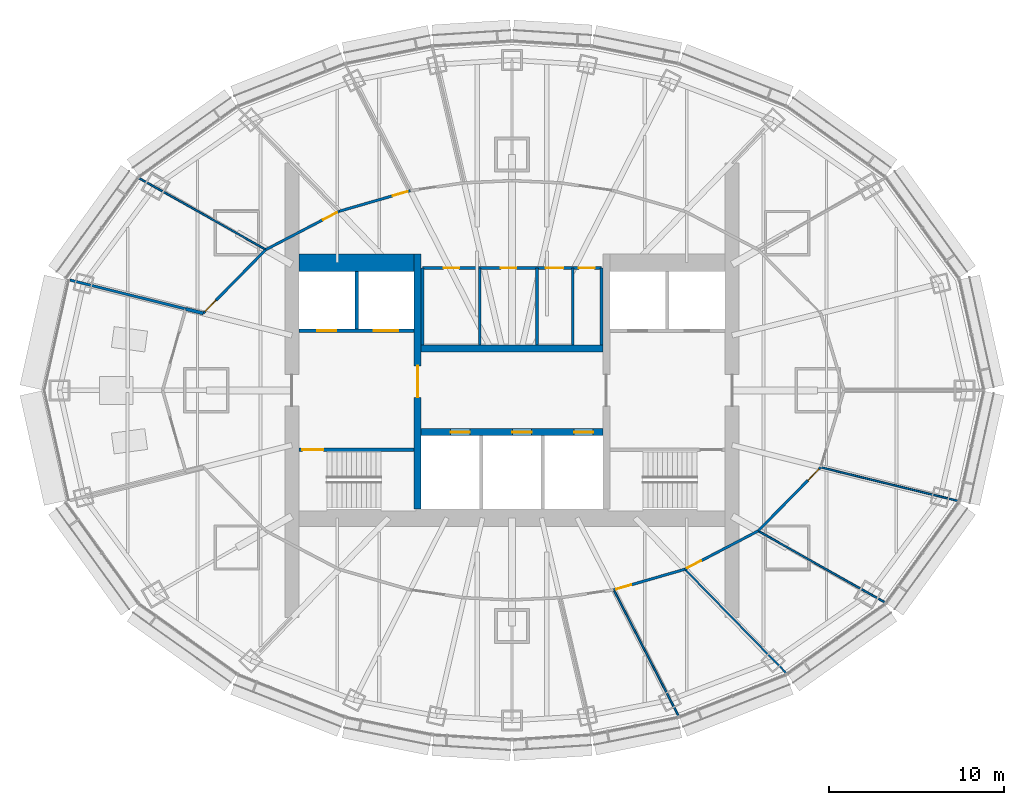
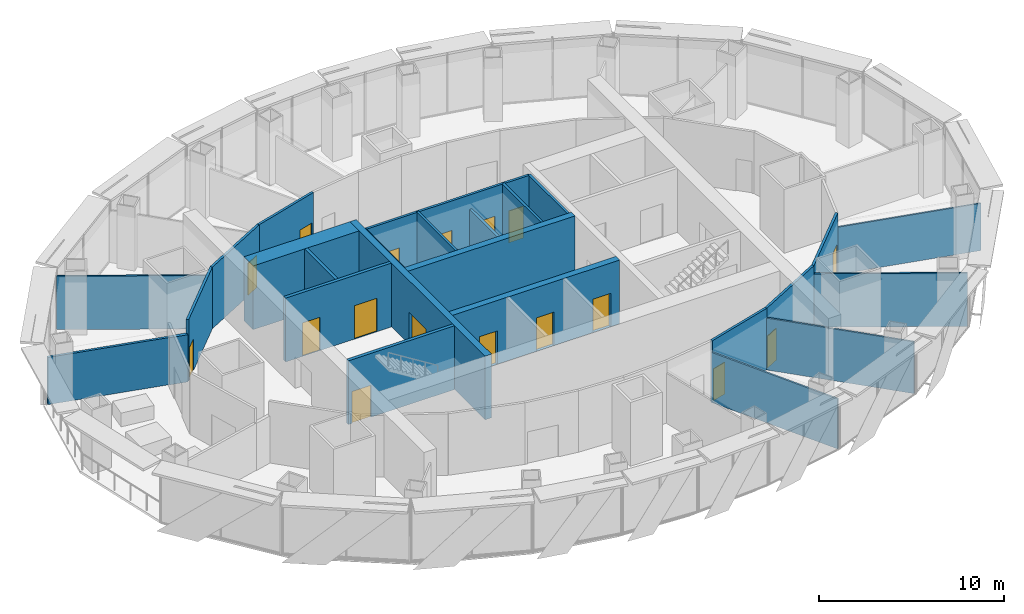
# One storey, part 12 of 16: 26 walls, 17 doors, 17 openings.
"""IFC4 building model written with IfcOpenShell, lengths in metres."""

from ifc_helpers import new_model, si_unit, direction, frame, frame_2d, origin, place, context, subcontext, project, spatial, rectangle, extrude, material, layer, layer_set, type_object, element, fill, save


model = new_model("IFC4")

# Units and contexts
model_context = context("Model", 3, precision=1e-05, world=origin(), true_north=direction((0.0, 1.0)))
body_context = subcontext(model_context, "Body", "Model", "MODEL_VIEW")
ifc_project = project(units=[si_unit("LENGTHUNIT", "METRE"), si_unit("AREAUNIT", "SQUARE_METRE"), si_unit("VOLUMEUNIT", "CUBIC_METRE"), si_unit("PLANEANGLEUNIT", "RADIAN"), si_unit("MASSUNIT", "GRAM", prefix="KILO")], contexts=[model_context])

# Site, building, storey
site_placement = place(None, origin())
site = spatial("IfcSite", under=ifc_project, at=site_placement, CompositionType="ELEMENT")
building_placement = place(site_placement, origin())
building = spatial("IfcBuilding", under=site, at=building_placement, Name="Lantaw Convention Tower", CompositionType="ELEMENT")
storey_placement = place(building_placement, frame((0.0, 0.0, 232.60009765625)))
storey = spatial("IfcBuildingStorey", under=building, at=storey_placement, Name="L54", CompositionType="ELEMENT", Elevation=232.60009765625)

# Wall
ifc_material_1 = material(Name="Concrete C60/75", Category="concrete")
ifc_layer_1 = layer(ifc_material_1, 1.0)
ifc_layer_set_1 = layer_set([ifc_layer_1], Name="Core wall 1000")
wall_type_1 = type_object("IfcWallType", Name="Core wall 1000", PredefinedType="SHEAR", material=ifc_layer_set_1)
wall_1_placement = place(storey_placement, frame((-5.60009765625, 7.300048828125, 0.0), z_axis=(0.0, 0.0, 1.0), x_axis=(-1.0, 0.0, 0.0)))
element("IfcWall", 1, at=wall_1_placement, inside=storey, type_object=wall_type_1, Name="Core wall NW", PredefinedType="SHEAR", context=body_context, shape_type="SweptSolid", body=[
    extrude(rectangle(XDim=6.599853515625, YDim=1.0, at=frame_2d((3.2998046875, 0.0))), origin(), (0.0, 0.0, 1.0), 4.199951171875),
])

# Wall, opening, door
ifc_layer_2 = layer(ifc_material_1, 0.199951171875)
ifc_layer_set_2 = layer_set([ifc_layer_2], Name="Core wall 200")
wall_type_2 = type_object("IfcWallType", Name="Core wall 200", PredefinedType="SHEAR", material=ifc_layer_set_2)
wall_2_placement = place(storey_placement, frame((-5.60009765625, -3.39990234375, 0.0), z_axis=(0.0, 0.0, 1.0), x_axis=(-1.0, 0.0, 0.0)))
wall_2 = element("IfcWall", 2, at=wall_2_placement, inside=storey, type_object=wall_type_2, Name="Core wall WS", PredefinedType="SHEAR", context=body_context, shape_type="SweptSolid", body=[
    extrude(rectangle(XDim=6.599853515625, YDim=0.199951171875, at=frame_2d((3.2998046875, 0.0))), origin(), (0.0, 0.0, 1.0), 4.199951171875),
])
opening_1_placement = place(wall_2_placement, frame((5.199951171875, 0.0, 0.0)))
opening_1 = element("IfcOpeningElement", 3, at=opening_1_placement, cuts=wall_2, Name="Opening L54.04", PredefinedType="OPENING", context=body_context, shape_type="SweptSolid", body=[
    extrude(rectangle(XDim=1.199951171875, YDim=2.10009765625, at=frame_2d((0.60009765625, 1.050048828125))), frame((0.0, 0.10986328125, 0.0), z_axis=(0.0, -1.0, 0.0), x_axis=(1.0, 0.0, 0.0)), (0.0, 0.0, 1.0), 0.219970703125),
])
ifc_material_2 = material(Name="Steel, fire rated", Category="steel")
door_type_1 = type_object("IfcDoorType", Name="Stair door FD90", OperationType="SINGLE_SWING_RIGHT", PredefinedType="DOOR", material=ifc_material_2)
door_1_placement = place(opening_1_placement, origin())
door_1 = element("IfcDoor", 4, at=door_1_placement, inside=storey, type_object=door_type_1, Name="Exit stair door", OperationType="SINGLE_SWING_RIGHT", OverallHeight=2.10009765625, OverallWidth=1.199951171875, PredefinedType="DOOR", context=body_context, shape_type="SweptSolid", body=[
    extrude(rectangle(XDim=1.199951171875, YDim=2.10009765625, at=frame_2d((0.60009765625, 1.050048828125))), frame((0.0, 0.02490234375, 0.0), z_axis=(0.0, -1.0, 0.0), x_axis=(1.0, 0.0, 0.0)), (0.0, 0.0, 1.0), 0.050048828125),
])
fill(opening_1, door_1)

ifc_layer_3 = layer(ifc_material_1, 0.39990234375)
ifc_layer_set_3 = layer_set([ifc_layer_3], Name="Core wall 400")
wall_type_3 = type_object("IfcWallType", Name="Core wall 400", PredefinedType="SHEAR", material=ifc_layer_set_3)
wall_3_placement = place(storey_placement, frame((-5.39990234375, 7.800048828125, 0.0), z_axis=(0.0, 0.0, 1.0), x_axis=(0.0, -1.0, 0.0)))
wall_3 = element("IfcWall", 5, at=wall_3_placement, inside=storey, type_object=wall_type_3, Name="Core wall XW", PredefinedType="SHEAR", context=body_context, shape_type="SweptSolid", body=[
    extrude(rectangle(XDim=14.60009765625, YDim=0.39990234375, at=frame_2d((7.300048828125, 0.0))), origin(), (0.0, 0.0, 1.0), 4.199951171875),
])
opening_2_placement = place(wall_3_placement, frame((6.39990234375, 0.0, 0.0)))
opening_2 = element("IfcOpeningElement", 6, at=opening_2_placement, cuts=wall_3, Name="Opening L54.02", PredefinedType="OPENING", context=body_context, shape_type="SweptSolid", body=[
    extrude(rectangle(XDim=1.800048828125, YDim=2.10009765625, at=frame_2d((0.89990234375, 1.050048828125))), frame((0.0, 0.2099609375, 0.0), z_axis=(0.0, -1.0, 0.0), x_axis=(1.0, 0.0, 0.0)), (0.0, 0.0, 1.0), 0.419921875),
])
door_type_2 = type_object("IfcDoorType", Name="Lobby double door FD90", OperationType="DOUBLE_DOOR_DOUBLE_SWING", PredefinedType="DOOR", material=ifc_material_2)
door_2_placement = place(opening_2_placement, origin())
door_2 = element("IfcDoor", 7, at=door_2_placement, inside=storey, type_object=door_type_2, Name="Lift lobby door", OperationType="DOUBLE_DOOR_DOUBLE_SWING", OverallHeight=2.10009765625, OverallWidth=1.800048828125, PredefinedType="DOOR", context=body_context, shape_type="SweptSolid", body=[
    extrude(rectangle(XDim=1.800048828125, YDim=2.10009765625, at=frame_2d((0.89990234375, 1.050048828125))), frame((0.0, 0.02490234375, 0.0), z_axis=(0.0, -1.0, 0.0), x_axis=(1.0, 0.0, 0.0)), (0.0, 0.0, 1.0), 0.050048828125),
])
fill(opening_2, door_2)

# Wall, openings, doors
wall_4_placement = place(storey_placement, frame((-5.199951171875, -2.39990234375, 0.0), z_axis=(0.0, 0.0, 1.0), x_axis=(1.0, 0.0, 0.0)))
wall_4 = element("IfcWall", 8, at=wall_4_placement, inside=storey, type_object=wall_type_3, Name="Core wall BS", PredefinedType="SHEAR", context=body_context, shape_type="SweptSolid", body=[
    extrude(rectangle(XDim=10.39990234375, YDim=0.39990234375, at=frame_2d((5.199951171875, 0.0))), origin(), (0.0, 0.0, 1.0), 4.199951171875),
])
opening_3_placement = place(wall_4_placement, frame((1.683349609375, 0.0, 0.0)))
opening_3 = element("IfcOpeningElement", 9, at=opening_3_placement, cuts=wall_4, Name="Opening L54.07", PredefinedType="OPENING", context=body_context, shape_type="SweptSolid", body=[
    extrude(rectangle(XDim=1.10009765625, YDim=2.199951171875, at=frame_2d((0.550048828125, 1.10009765625))), frame((0.0, 0.2099609375, 0.0), z_axis=(0.0, -1.0, 0.0), x_axis=(1.0, 0.0, 0.0)), (0.0, 0.0, 1.0), 0.419921875),
])
opening_4_placement = place(wall_4_placement, frame((5.216796875, 0.0, 0.0)))
opening_4 = element("IfcOpeningElement", 10, at=opening_4_placement, cuts=wall_4, Name="Opening L54.08", PredefinedType="OPENING", context=body_context, shape_type="SweptSolid", body=[
    extrude(rectangle(XDim=1.10009765625, YDim=2.199951171875, at=frame_2d((0.550048828125, 1.10009765625))), frame((0.0, 0.2099609375, 0.0), z_axis=(0.0, -1.0, 0.0), x_axis=(1.0, 0.0, 0.0)), (0.0, 0.0, 1.0), 0.419921875),
])
opening_5_placement = place(wall_4_placement, frame((8.75, 0.0, 0.0)))
opening_5 = element("IfcOpeningElement", 11, at=opening_5_placement, cuts=wall_4, Name="Opening L54.09", PredefinedType="OPENING", context=body_context, shape_type="SweptSolid", body=[
    extrude(rectangle(XDim=1.10009765625, YDim=2.199951171875, at=frame_2d((0.550048828125, 1.10009765625))), frame((0.0, 0.2099609375, 0.0), z_axis=(0.0, -1.0, 0.0), x_axis=(1.0, 0.0, 0.0)), (0.0, 0.0, 1.0), 0.419921875),
])
ifc_material_3 = material(Name="Stainless steel", Category="steel")
door_type_3 = type_object("IfcDoorType", Name="Lift landing door 1100", OperationType="DOUBLE_DOOR_SLIDING", PredefinedType="DOOR", material=ifc_material_3)
door_3_placement = place(opening_3_placement, origin())
door_3 = element("IfcDoor", 12, at=door_3_placement, inside=storey, type_object=door_type_3, Name="Lift landing door S1", OperationType="DOUBLE_DOOR_SLIDING", OverallHeight=2.199951171875, OverallWidth=1.10009765625, PredefinedType="DOOR", context=body_context, shape_type="SweptSolid", body=[
    extrude(rectangle(XDim=1.10009765625, YDim=2.199951171875, at=frame_2d((0.550048828125, 1.10009765625))), frame((0.0, 0.02490234375, 0.0), z_axis=(0.0, -1.0, 0.0), x_axis=(1.0, 0.0, 0.0)), (0.0, 0.0, 1.0), 0.050048828125),
])
fill(opening_3, door_3)
door_4_placement = place(opening_4_placement, origin())
door_4 = element("IfcDoor", 13, at=door_4_placement, inside=storey, type_object=door_type_3, Name="Lift landing door S2", OperationType="DOUBLE_DOOR_SLIDING", OverallHeight=2.199951171875, OverallWidth=1.10009765625, PredefinedType="DOOR", context=body_context, shape_type="SweptSolid", body=[
    extrude(rectangle(XDim=1.10009765625, YDim=2.199951171875, at=frame_2d((0.550048828125, 1.10009765625))), frame((0.0, 0.02490234375, 0.0), z_axis=(0.0, -1.0, 0.0), x_axis=(1.0, 0.0, 0.0)), (0.0, 0.0, 1.0), 0.050048828125),
])
fill(opening_4, door_4)
door_5_placement = place(opening_5_placement, origin())
door_5 = element("IfcDoor", 14, at=door_5_placement, inside=storey, type_object=door_type_3, Name="Lift landing door S3", OperationType="DOUBLE_DOOR_SLIDING", OverallHeight=2.199951171875, OverallWidth=1.10009765625, PredefinedType="DOOR", context=body_context, shape_type="SweptSolid", body=[
    extrude(rectangle(XDim=1.10009765625, YDim=2.199951171875, at=frame_2d((0.550048828125, 1.10009765625))), frame((0.0, 0.02490234375, 0.0), z_axis=(0.0, -1.0, 0.0), x_axis=(1.0, 0.0, 0.0)), (0.0, 0.0, 1.0), 0.050048828125),
])
fill(opening_5, door_5)

# Wall
wall_5_placement = place(storey_placement, frame((5.199951171875, 2.39990234375, 0.0), z_axis=(0.0, 0.0, 1.0), x_axis=(-1.0, 0.0, 0.0)))
element("IfcWall", 15, at=wall_5_placement, inside=storey, type_object=wall_type_3, Name="Core wall BN", PredefinedType="SHEAR", context=body_context, shape_type="SweptSolid", body=[
    extrude(rectangle(XDim=10.39990234375, YDim=0.39990234375, at=frame_2d((5.199951171875, 0.0))), origin(), (0.0, 0.0, 1.0), 4.199951171875),
])

# Wall, opening, door
ifc_material_4 = material(Name="Gypsum board on steel studs, fire rated", Category="steel")
ifc_layer_4 = layer(ifc_material_4, 0.14990234375)
ifc_layer_set_4 = layer_set([ifc_layer_4], Name="Corridor wall 150 EI 60")
wall_type_4 = type_object("IfcWallType", Name="Corridor wall 150 EI 60", PredefinedType="PARTITIONING", material=ifc_layer_set_4)
wall_6_placement = place(storey_placement, frame((-5.8203125, 11.423095703125, 0.0), z_axis=(0.0, 0.0, 1.0), x_axis=(-0.960614838378, -0.27788330696, 0.0)))
wall_6 = element("IfcWall", 16, at=wall_6_placement, inside=storey, type_object=wall_type_4, Name="Corridor wall 150", PredefinedType="PARTITIONING", context=body_context, shape_type="SweptSolid", body=[
    extrude(rectangle(XDim=4.239990234375, YDim=0.14990234375, at=frame_2d((2.1201171875, 0.0))), origin(), (0.0, 0.0, 1.0), 4.0498046875),
])
opening_6_placement = place(wall_6_placement, frame((0.14990234375, 0.0, 0.0)))
opening_6 = element("IfcOpeningElement", 17, at=opening_6_placement, cuts=wall_6, Name="Opening L54.27", PredefinedType="OPENING", context=body_context, shape_type="SweptSolid", body=[
    extrude(rectangle(XDim=0.89990234375, YDim=2.10009765625, at=frame_2d((0.449951171875, 1.050048828125))), frame((0.0, 0.0849609375, 0.0), z_axis=(0.0, -1.0, 0.0), x_axis=(1.0, 0.0, 0.0)), (0.0, 0.0, 1.0), 0.169921875),
])
door_type_4 = type_object("IfcDoorType", Name="Office door 900 FD30", OperationType="SINGLE_SWING_LEFT", PredefinedType="DOOR", material=ifc_material_2)
door_6_placement = place(opening_6_placement, origin())
door_6 = element("IfcDoor", 18, at=door_6_placement, inside=storey, type_object=door_type_4, Name="Focus room door", OperationType="SINGLE_SWING_LEFT", OverallHeight=2.10009765625, OverallWidth=0.89990234375, PredefinedType="DOOR", context=body_context, shape_type="SweptSolid", body=[
    extrude(rectangle(XDim=0.89990234375, YDim=2.10009765625, at=frame_2d((0.449951171875, 1.050048828125))), frame((0.0, 0.02490234375, 0.0), z_axis=(0.0, -1.0, 0.0), x_axis=(1.0, 0.0, 0.0)), (0.0, 0.0, 1.0), 0.050048828125),
])
fill(opening_6, door_6)

wall_7_placement = place(storey_placement, frame((-9.893310546875, 10.244873046875, 0.0), z_axis=(0.0, 0.0, 1.0), x_axis=(-0.886174439647, -0.463351769735, 0.0)))
wall_7 = element("IfcWall", 19, at=wall_7_placement, inside=storey, type_object=wall_type_4, Name="Corridor wall 150", PredefinedType="PARTITIONING", context=body_context, shape_type="SweptSolid", body=[
    extrude(rectangle(XDim=4.734619140625, YDim=0.14990234375, at=frame_2d((2.3671875, 0.0))), origin(), (0.0, 0.0, 1.0), 4.0498046875),
])
opening_7_placement = place(wall_7_placement, frame((0.14990234375, 0.0, 0.0)))
opening_7 = element("IfcOpeningElement", 20, at=opening_7_placement, cuts=wall_7, Name="Opening L54.28", PredefinedType="OPENING", context=body_context, shape_type="SweptSolid", body=[
    extrude(rectangle(XDim=0.89990234375, YDim=2.10009765625, at=frame_2d((0.449951171875, 1.050048828125))), frame((0.0, 0.0849609375, 0.0), z_axis=(0.0, -1.0, 0.0), x_axis=(1.0, 0.0, 0.0)), (0.0, 0.0, 1.0), 0.169921875),
])
door_7_placement = place(opening_7_placement, origin())
door_7 = element("IfcDoor", 21, at=door_7_placement, inside=storey, type_object=door_type_4, Name="Focus room door", OperationType="SINGLE_SWING_LEFT", OverallHeight=2.10009765625, OverallWidth=0.89990234375, PredefinedType="DOOR", context=body_context, shape_type="SweptSolid", body=[
    extrude(rectangle(XDim=0.89990234375, YDim=2.10009765625, at=frame_2d((0.449951171875, 1.050048828125))), frame((0.0, 0.02490234375, 0.0), z_axis=(0.0, -1.0, 0.0), x_axis=(1.0, 0.0, 0.0)), (0.0, 0.0, 1.0), 0.050048828125),
])
fill(opening_7, door_7)

wall_8_placement = place(storey_placement, frame((-14.089111328125, 8.051025390625, 0.0), z_axis=(0.0, 0.0, 1.0), x_axis=(-0.701111216625, -0.713051934941, 0.0)))
wall_8 = element("IfcWall", 22, at=wall_8_placement, inside=storey, type_object=wall_type_4, Name="Corridor wall 150", PredefinedType="PARTITIONING", context=body_context, shape_type="SweptSolid", body=[
    extrude(rectangle(XDim=5.111572265625, YDim=0.14990234375, at=frame_2d((2.5556640625, 0.0))), origin(), (0.0, 0.0, 1.0), 4.0498046875),
])
opening_8_placement = place(wall_8_placement, frame((4.061279296875, 0.0, 0.0)))
opening_8 = element("IfcOpeningElement", 23, at=opening_8_placement, cuts=wall_8, Name="Opening L54.29", PredefinedType="OPENING", context=body_context, shape_type="SweptSolid", body=[
    extrude(rectangle(XDim=0.89990234375, YDim=2.10009765625, at=frame_2d((0.449951171875, 1.050048828125))), frame((0.0, 0.0849609375, 0.0), z_axis=(0.0, -1.0, 0.0), x_axis=(1.0, 0.0, 0.0)), (0.0, 0.0, 1.0), 0.169921875),
])
door_8_placement = place(opening_8_placement, origin())
door_8 = element("IfcDoor", 24, at=door_8_placement, inside=storey, type_object=door_type_4, Name="Focus room door", OperationType="SINGLE_SWING_LEFT", OverallHeight=2.10009765625, OverallWidth=0.89990234375, PredefinedType="DOOR", context=body_context, shape_type="SweptSolid", body=[
    extrude(rectangle(XDim=0.89990234375, YDim=2.10009765625, at=frame_2d((0.449951171875, 1.050048828125))), frame((0.0, 0.02490234375, 0.0), z_axis=(0.0, -1.0, 0.0), x_axis=(1.0, 0.0, 0.0)), (0.0, 0.0, 1.0), 0.050048828125),
])
fill(opening_8, door_8)

wall_9_placement = place(storey_placement, frame((5.8203125, -11.423095703125, 0.0), z_axis=(0.0, 0.0, 1.0), x_axis=(0.960614838378, 0.27788330696, 0.0)))
wall_9 = element("IfcWall", 25, at=wall_9_placement, inside=storey, type_object=wall_type_4, Name="Corridor wall 150", PredefinedType="PARTITIONING", context=body_context, shape_type="SweptSolid", body=[
    extrude(rectangle(XDim=4.239990234375, YDim=0.14990234375, at=frame_2d((2.1201171875, 0.0))), origin(), (0.0, 0.0, 1.0), 4.0498046875),
])
opening_9_placement = place(wall_9_placement, frame((0.14990234375, 0.0, 0.0)))
opening_9 = element("IfcOpeningElement", 26, at=opening_9_placement, cuts=wall_9, Name="Opening L54.20", PredefinedType="OPENING", context=body_context, shape_type="SweptSolid", body=[
    extrude(rectangle(XDim=0.89990234375, YDim=2.10009765625, at=frame_2d((0.449951171875, 1.050048828125))), frame((0.0, 0.0849609375, 0.0), z_axis=(0.0, -1.0, 0.0), x_axis=(1.0, 0.0, 0.0)), (0.0, 0.0, 1.0), 0.169921875),
])
door_9_placement = place(opening_9_placement, origin())
door_9 = element("IfcDoor", 27, at=door_9_placement, inside=storey, type_object=door_type_4, Name="Private office door", OperationType="SINGLE_SWING_LEFT", OverallHeight=2.10009765625, OverallWidth=0.89990234375, PredefinedType="DOOR", context=body_context, shape_type="SweptSolid", body=[
    extrude(rectangle(XDim=0.89990234375, YDim=2.10009765625, at=frame_2d((0.449951171875, 1.050048828125))), frame((0.0, 0.02490234375, 0.0), z_axis=(0.0, -1.0, 0.0), x_axis=(1.0, 0.0, 0.0)), (0.0, 0.0, 1.0), 0.050048828125),
])
fill(opening_9, door_9)

wall_10_placement = place(storey_placement, frame((9.893310546875, -10.244873046875, 0.0), z_axis=(0.0, 0.0, 1.0), x_axis=(0.886174439647, 0.463351769735, 0.0)))
wall_10 = element("IfcWall", 28, at=wall_10_placement, inside=storey, type_object=wall_type_4, Name="Corridor wall 150", PredefinedType="PARTITIONING", context=body_context, shape_type="SweptSolid", body=[
    extrude(rectangle(XDim=4.734619140625, YDim=0.14990234375, at=frame_2d((2.3671875, 0.0))), origin(), (0.0, 0.0, 1.0), 4.0498046875),
])
opening_10_placement = place(wall_10_placement, frame((0.14990234375, 0.0, 0.0)))
opening_10 = element("IfcOpeningElement", 29, at=opening_10_placement, cuts=wall_10, Name="Opening L54.21", PredefinedType="OPENING", context=body_context, shape_type="SweptSolid", body=[
    extrude(rectangle(XDim=0.89990234375, YDim=2.10009765625, at=frame_2d((0.449951171875, 1.050048828125))), frame((0.0, 0.0849609375, 0.0), z_axis=(0.0, -1.0, 0.0), x_axis=(1.0, 0.0, 0.0)), (0.0, 0.0, 1.0), 0.169921875),
])
door_10_placement = place(opening_10_placement, origin())
door_10 = element("IfcDoor", 30, at=door_10_placement, inside=storey, type_object=door_type_4, Name="Private office door", OperationType="SINGLE_SWING_LEFT", OverallHeight=2.10009765625, OverallWidth=0.89990234375, PredefinedType="DOOR", context=body_context, shape_type="SweptSolid", body=[
    extrude(rectangle(XDim=0.89990234375, YDim=2.10009765625, at=frame_2d((0.449951171875, 1.050048828125))), frame((0.0, 0.02490234375, 0.0), z_axis=(0.0, -1.0, 0.0), x_axis=(1.0, 0.0, 0.0)), (0.0, 0.0, 1.0), 0.050048828125),
])
fill(opening_10, door_10)

wall_11_placement = place(storey_placement, frame((14.089111328125, -8.051025390625, 0.0), z_axis=(0.0, 0.0, 1.0), x_axis=(0.701111216625, 0.713051934941, 0.0)))
wall_11 = element("IfcWall", 31, at=wall_11_placement, inside=storey, type_object=wall_type_4, Name="Corridor wall 150", PredefinedType="PARTITIONING", context=body_context, shape_type="SweptSolid", body=[
    extrude(rectangle(XDim=5.111572265625, YDim=0.14990234375, at=frame_2d((2.5556640625, 0.0))), origin(), (0.0, 0.0, 1.0), 4.0498046875),
])
opening_11_placement = place(wall_11_placement, frame((4.061279296875, 0.0, 0.0)))
opening_11 = element("IfcOpeningElement", 32, at=opening_11_placement, cuts=wall_11, Name="Opening L54.22", PredefinedType="OPENING", context=body_context, shape_type="SweptSolid", body=[
    extrude(rectangle(XDim=0.89990234375, YDim=2.10009765625, at=frame_2d((0.449951171875, 1.050048828125))), frame((0.0, 0.0849609375, 0.0), z_axis=(0.0, -1.0, 0.0), x_axis=(1.0, 0.0, 0.0)), (0.0, 0.0, 1.0), 0.169921875),
])
door_11_placement = place(opening_11_placement, origin())
door_11 = element("IfcDoor", 33, at=door_11_placement, inside=storey, type_object=door_type_4, Name="Private office door", OperationType="SINGLE_SWING_LEFT", OverallHeight=2.10009765625, OverallWidth=0.89990234375, PredefinedType="DOOR", context=body_context, shape_type="SweptSolid", body=[
    extrude(rectangle(XDim=0.89990234375, YDim=2.10009765625, at=frame_2d((0.449951171875, 1.050048828125))), frame((0.0, 0.02490234375, 0.0), z_axis=(0.0, -1.0, 0.0), x_axis=(1.0, 0.0, 0.0)), (0.0, 0.0, 1.0), 0.050048828125),
])
fill(opening_11, door_11)

# Walls
ifc_material_5 = material(Name="Insulated aluminium panel on steel frame", Category="steel")
ifc_layer_5 = layer(ifc_material_5, 0.199951171875)
ifc_layer_set_5 = layer_set([ifc_layer_5], Name="External wall 200")
wall_type_5 = type_object("IfcWallType", Name="External wall 200", PredefinedType="SOLIDWALL", material=ifc_layer_set_5)
wall_12_placement = place(storey_placement, frame((-18.67333984375, 4.65576171875, 0.0), z_axis=(0.0, 0.0, 1.0), x_axis=(0.970281616392, -0.241978480223, 0.0)))
element("IfcWall", 34, at=wall_12_placement, inside=storey, type_object=wall_type_5, Name="External wall 200", PredefinedType="SOLIDWALL", context=body_context, shape_type="SweptSolid", body=[
    extrude(rectangle(XDim=1.03125, YDim=0.199951171875, at=frame_2d((0.515625, 0.0))), origin(), (0.0, 0.0, 1.0), 3.107666015625),
])
ifc_material_6 = material(Name="Aluminium framed glazing", Category="aluminium")
ifc_layer_6 = layer(ifc_material_6, 0.14990234375)
ifc_layer_set_6 = layer_set([ifc_layer_6], Name="Glazed garden screen 150")
wall_type_6 = type_object("IfcWallType", Name="Glazed garden screen 150", PredefinedType="ELEMENTEDWALL", material=ifc_layer_set_6)
wall_13_placement = place(storey_placement, frame((-18.67333984375, 4.65576171875, 0.0), z_axis=(0.0, 0.0, 1.0), x_axis=(-0.970293751158, 0.241929817229, 0.0)))
element("IfcWall", 35, at=wall_13_placement, inside=storey, type_object=wall_type_6, Name="Glazed garden screen", PredefinedType="ELEMENTEDWALL", context=body_context, shape_type="SweptSolid", body=[
    extrude(rectangle(XDim=6.827880859375, YDim=0.14990234375, at=frame_2d((3.4140625, 0.0))), origin(), (0.0, 0.0, 1.0), 3.107666015625),
])
ifc_material_7 = material(Name="Gypsum board on steel studs, acoustic", Category="steel")
ifc_layer_7 = layer(ifc_material_7, 0.10009765625)
ifc_layer_set_7 = layer_set([ifc_layer_7], Name="Office partition 100")
wall_type_7 = type_object("IfcWallType", Name="Office partition 100", PredefinedType="PARTITIONING", material=ifc_layer_set_7)
wall_14_placement = place(storey_placement, frame((-21.3583984375, 12.149658203125, 0.0), z_axis=(0.0, 0.0, 1.0), x_axis=(0.871080529249, -0.491140215786, 0.0)))
element("IfcWall", 36, at=wall_14_placement, inside=storey, type_object=wall_type_7, Name="Office partition 100", PredefinedType="PARTITIONING", context=body_context, shape_type="SweptSolid", body=[
    extrude(rectangle(XDim=8.34521484375, YDim=0.10009765625, at=frame_2d((4.172607421875, 0.0))), origin(), (0.0, 0.0, 1.0), 3.524169921875),
])
wall_15_placement = place(storey_placement, frame((9.539306640625, -18.650390625, 0.0), z_axis=(0.0, 0.0, 1.0), x_axis=(-0.457552286462, 0.88918271753, 0.0)))
element("IfcWall", 37, at=wall_15_placement, inside=storey, type_object=wall_type_7, Name="Office partition 100", PredefinedType="PARTITIONING", context=body_context, shape_type="SweptSolid", body=[
    extrude(rectangle(XDim=8.1279296875, YDim=0.10009765625, at=frame_2d((4.06396484375, 0.0))), origin(), (0.0, 0.0, 1.0), 3.29296875),
])
wall_16_placement = place(storey_placement, frame((15.709228515625, -16.198974609375, 0.0), z_axis=(0.0, 0.0, 1.0), x_axis=(-0.69875697861, 0.715359129978, 0.0)))
element("IfcWall", 38, at=wall_16_placement, inside=storey, type_object=wall_type_7, Name="Office partition 100", PredefinedType="PARTITIONING", context=body_context, shape_type="SweptSolid", body=[
    extrude(rectangle(XDim=8.3232421875, YDim=0.10009765625, at=frame_2d((4.16162109375, 0.0))), origin(), (0.0, 0.0, 1.0), 3.409912109375),
])
wall_17_placement = place(storey_placement, frame((21.3583984375, -12.149658203125, 0.0), z_axis=(0.0, 0.0, 1.0), x_axis=(-0.871080529249, 0.491140215786, 0.0)))
element("IfcWall", 39, at=wall_17_placement, inside=storey, type_object=wall_type_7, Name="Office partition 100", PredefinedType="PARTITIONING", context=body_context, shape_type="SweptSolid", body=[
    extrude(rectangle(XDim=8.34521484375, YDim=0.10009765625, at=frame_2d((4.172607421875, 0.0))), origin(), (0.0, 0.0, 1.0), 3.521484375),
])
wall_18_placement = place(storey_placement, frame((25.542724609375, -6.335693359375, 0.0), z_axis=(0.0, 0.0, 1.0), x_axis=(-0.97123661777, 0.238116425942, 0.0)))
element("IfcWall", 40, at=wall_18_placement, inside=storey, type_object=wall_type_7, Name="Office partition 100", PredefinedType="PARTITIONING", context=body_context, shape_type="SweptSolid", body=[
    extrude(rectangle(XDim=8.10302734375, YDim=0.10009765625, at=frame_2d((4.051513671875, 0.0))), origin(), (0.0, 0.0, 1.0), 3.107666015625),
])

# Wall, openings, doors
ifc_material_8 = material(Name="Concrete blockwork, fire rated", Category="masonry")
ifc_layer_8 = layer(ifc_material_8, 0.199951171875)
ifc_layer_set_8 = layer_set([ifc_layer_8], Name="Shaft wall 200")
wall_type_8 = type_object("IfcWallType", Name="Shaft wall 200", PredefinedType="SOLIDWALL", material=ifc_layer_set_8)
wall_19_placement = place(storey_placement, frame((-12.199951171875, 3.39990234375, 0.0), z_axis=(0.0, 0.0, 1.0), x_axis=(1.0, 0.0, 0.0)))
wall_19 = element("IfcWall", 41, at=wall_19_placement, inside=storey, type_object=wall_type_8, Name="Shaft wall WN", PredefinedType="SOLIDWALL", context=body_context, shape_type="SweptSolid", body=[
    extrude(rectangle(XDim=6.599853515625, YDim=0.199951171875, at=frame_2d((3.2998046875, 0.0))), origin(), (0.0, 0.0, 1.0), 4.199951171875),
])
opening_12_placement = place(wall_19_placement, frame((1.050048828125, 0.0, 0.0)))
opening_12 = element("IfcOpeningElement", 42, at=opening_12_placement, cuts=wall_19, Name="Opening L54.10", PredefinedType="OPENING", context=body_context, shape_type="SweptSolid", body=[
    extrude(rectangle(XDim=1.10009765625, YDim=2.199951171875, at=frame_2d((0.550048828125, 1.10009765625))), frame((0.0, 0.10986328125, 0.0), z_axis=(0.0, -1.0, 0.0), x_axis=(1.0, 0.0, 0.0)), (0.0, 0.0, 1.0), 0.219970703125),
])
opening_13_placement = place(wall_19_placement, frame((4.300048828125, 0.0, 0.0)))
opening_13 = element("IfcOpeningElement", 43, at=opening_13_placement, cuts=wall_19, Name="Opening L54.11", PredefinedType="OPENING", context=body_context, shape_type="SweptSolid", body=[
    extrude(rectangle(XDim=1.39990234375, YDim=2.199951171875, at=frame_2d((0.699951171875, 1.10009765625))), frame((0.0, 0.10986328125, 0.0), z_axis=(0.0, -1.0, 0.0), x_axis=(1.0, 0.0, 0.0)), (0.0, 0.0, 1.0), 0.219970703125),
])
door_12_placement = place(opening_12_placement, origin())
door_12 = element("IfcDoor", 44, at=door_12_placement, inside=storey, type_object=door_type_3, Name="Lift landing door FF1", OperationType="DOUBLE_DOOR_SLIDING", OverallHeight=2.199951171875, OverallWidth=1.10009765625, PredefinedType="DOOR", context=body_context, shape_type="SweptSolid", body=[
    extrude(rectangle(XDim=1.10009765625, YDim=2.199951171875, at=frame_2d((0.550048828125, 1.10009765625))), frame((0.0, 0.02490234375, 0.0), z_axis=(0.0, -1.0, 0.0), x_axis=(1.0, 0.0, 0.0)), (0.0, 0.0, 1.0), 0.050048828125),
])
fill(opening_12, door_12)
door_type_5 = type_object("IfcDoorType", Name="Lift landing door 1400", OperationType="DOUBLE_DOOR_SLIDING", PredefinedType="DOOR", material=ifc_material_3)
door_13_placement = place(opening_13_placement, origin())
door_13 = element("IfcDoor", 45, at=door_13_placement, inside=storey, type_object=door_type_5, Name="Lift landing door SV1", OperationType="DOUBLE_DOOR_SLIDING", OverallHeight=2.199951171875, OverallWidth=1.39990234375, PredefinedType="DOOR", context=body_context, shape_type="SweptSolid", body=[
    extrude(rectangle(XDim=1.39990234375, YDim=2.199951171875, at=frame_2d((0.699951171875, 1.10009765625))), frame((0.0, 0.02490234375, 0.0), z_axis=(0.0, -1.0, 0.0), x_axis=(1.0, 0.0, 0.0)), (0.0, 0.0, 1.0), 0.050048828125),
])
fill(opening_13, door_13)

# Wall
wall_20_placement = place(storey_placement, frame((-8.89990234375, 3.5, 0.0), z_axis=(0.0, 0.0, 1.0), x_axis=(0.0, 1.0, 0.0)))
element("IfcWall", 46, at=wall_20_placement, inside=storey, type_object=wall_type_8, Name="Shaft wall WD", PredefinedType="SOLIDWALL", context=body_context, shape_type="SweptSolid", body=[
    extrude(rectangle(XDim=3.300048828125, YDim=0.199951171875, at=frame_2d((1.64990234375, 0.0))), origin(), (0.0, 0.0, 1.0), 4.199951171875),
])

# Wall, openings, doors
ifc_material_9 = material(Name="Concrete blockwork", Category="masonry")
ifc_layer_9 = layer(ifc_material_9, 0.14990234375)
ifc_layer_set_9 = layer_set([ifc_layer_9], Name="WC wall 150")
wall_type_9 = type_object("IfcWallType", Name="WC wall 150", PredefinedType="SOLIDWALL", material=ifc_layer_set_9)
wall_21_placement = place(storey_placement, frame((-5.1201171875, 7.0, 0.0), z_axis=(0.0, 0.0, 1.0), x_axis=(1.0, 0.0, 0.0)))
wall_21 = element("IfcWall", 47, at=wall_21_placement, inside=storey, type_object=wall_type_9, Name="WC wall 150", PredefinedType="SOLIDWALL", context=body_context, shape_type="SweptSolid", body=[
    extrude(rectangle(XDim=10.240234375, YDim=0.14990234375, at=frame_2d((5.1201171875, 0.0))), origin(), (0.0, 0.0, 1.0), 4.0498046875),
])
opening_14_placement = place(wall_21_placement, frame((1.199951171875, 0.0, 0.0)))
opening_14 = element("IfcOpeningElement", 48, at=opening_14_placement, cuts=wall_21, Name="Opening L54.14", PredefinedType="OPENING", context=body_context, shape_type="SweptSolid", body=[
    extrude(rectangle(XDim=0.89990234375, YDim=2.10009765625, at=frame_2d((0.449951171875, 1.050048828125))), frame((0.0, 0.0849609375, 0.0), z_axis=(0.0, -1.0, 0.0), x_axis=(1.0, 0.0, 0.0)), (0.0, 0.0, 1.0), 0.169921875),
])
opening_15_placement = place(wall_21_placement, frame((4.476806640625, 0.0, 0.0)))
opening_15 = element("IfcOpeningElement", 49, at=opening_15_placement, cuts=wall_21, Name="Opening L54.15", PredefinedType="OPENING", context=body_context, shape_type="SweptSolid", body=[
    extrude(rectangle(XDim=0.89990234375, YDim=2.10009765625, at=frame_2d((0.449951171875, 1.050048828125))), frame((0.0, 0.0849609375, 0.0), z_axis=(0.0, -1.0, 0.0), x_axis=(1.0, 0.0, 0.0)), (0.0, 0.0, 1.0), 0.169921875),
])
opening_16_placement = place(wall_21_placement, frame((7.0537109375, 0.0, 0.0)))
opening_16 = element("IfcOpeningElement", 50, at=opening_16_placement, cuts=wall_21, Name="Opening L54.16", PredefinedType="OPENING", context=body_context, shape_type="SweptSolid", body=[
    extrude(rectangle(XDim=1.0, YDim=2.10009765625, at=frame_2d((0.5, 1.050048828125))), frame((0.0, 0.0849609375, 0.0), z_axis=(0.0, -1.0, 0.0), x_axis=(1.0, 0.0, 0.0)), (0.0, 0.0, 1.0), 0.169921875),
])
opening_17_placement = place(wall_21_placement, frame((8.95166015625, 0.0, 0.0)))
opening_17 = element("IfcOpeningElement", 51, at=opening_17_placement, cuts=wall_21, Name="Opening L54.17", PredefinedType="OPENING", context=body_context, shape_type="SweptSolid", body=[
    extrude(rectangle(XDim=0.89990234375, YDim=2.10009765625, at=frame_2d((0.449951171875, 1.050048828125))), frame((0.0, 0.0849609375, 0.0), z_axis=(0.0, -1.0, 0.0), x_axis=(1.0, 0.0, 0.0)), (0.0, 0.0, 1.0), 0.169921875),
])
ifc_material_10 = material(Name="Timber", Category="wood")
door_type_6 = type_object("IfcDoorType", Name="Accessible WC door 1000", OperationType="SINGLE_SWING_LEFT", PredefinedType="DOOR", material=ifc_material_10)
door_14_placement = place(opening_16_placement, origin())
door_14 = element("IfcDoor", 52, at=door_14_placement, inside=storey, type_object=door_type_6, Name="Accessible WC door", OperationType="SINGLE_SWING_LEFT", OverallHeight=2.10009765625, OverallWidth=1.0, PredefinedType="DOOR", context=body_context, shape_type="SweptSolid", body=[
    extrude(rectangle(XDim=1.0, YDim=2.10009765625, at=frame_2d((0.5, 1.050048828125))), frame((0.0, 0.02490234375, 0.0), z_axis=(0.0, -1.0, 0.0), x_axis=(1.0, 0.0, 0.0)), (0.0, 0.0, 1.0), 0.050048828125),
])
fill(opening_16, door_14)
door_type_7 = type_object("IfcDoorType", Name="WC door 900", OperationType="SINGLE_SWING_LEFT", PredefinedType="DOOR", material=ifc_material_10)
door_15_placement = place(opening_14_placement, origin())
door_15 = element("IfcDoor", 53, at=door_15_placement, inside=storey, type_object=door_type_7, Name="Male WC door", OperationType="SINGLE_SWING_LEFT", OverallHeight=2.10009765625, OverallWidth=0.89990234375, PredefinedType="DOOR", context=body_context, shape_type="SweptSolid", body=[
    extrude(rectangle(XDim=0.89990234375, YDim=2.10009765625, at=frame_2d((0.449951171875, 1.050048828125))), frame((0.0, 0.02490234375, 0.0), z_axis=(0.0, -1.0, 0.0), x_axis=(1.0, 0.0, 0.0)), (0.0, 0.0, 1.0), 0.050048828125),
])
fill(opening_14, door_15)
door_16_placement = place(opening_15_placement, origin())
door_16 = element("IfcDoor", 54, at=door_16_placement, inside=storey, type_object=door_type_7, Name="Female WC door", OperationType="SINGLE_SWING_LEFT", OverallHeight=2.10009765625, OverallWidth=0.89990234375, PredefinedType="DOOR", context=body_context, shape_type="SweptSolid", body=[
    extrude(rectangle(XDim=0.89990234375, YDim=2.10009765625, at=frame_2d((0.449951171875, 1.050048828125))), frame((0.0, 0.02490234375, 0.0), z_axis=(0.0, -1.0, 0.0), x_axis=(1.0, 0.0, 0.0)), (0.0, 0.0, 1.0), 0.050048828125),
])
fill(opening_15, door_16)
door_17_placement = place(opening_17_placement, origin())
door_17 = element("IfcDoor", 55, at=door_17_placement, inside=storey, type_object=door_type_7, Name="Cleaner's store door", OperationType="SINGLE_SWING_LEFT", OverallHeight=2.10009765625, OverallWidth=0.89990234375, PredefinedType="DOOR", context=body_context, shape_type="SweptSolid", body=[
    extrude(rectangle(XDim=0.89990234375, YDim=2.10009765625, at=frame_2d((0.449951171875, 1.050048828125))), frame((0.0, 0.02490234375, 0.0), z_axis=(0.0, -1.0, 0.0), x_axis=(1.0, 0.0, 0.0)), (0.0, 0.0, 1.0), 0.050048828125),
])
fill(opening_17, door_17)

# Walls
for number, where, z_axis, x_axis, name in (
    (56, (-5.1201171875, 2.60009765625, 0.0), (0.0, 0.0, 1.0), (0.0, 1.0, 0.0), "WC wall 150"),
    (57, (5.1201171875, 2.60009765625, 0.0), (0.0, 0.0, 1.0), (0.0, 1.0, 0.0), "WC wall 150"),
    (58, (-1.84326171875, 2.60009765625, 0.0), (0.0, 0.0, 1.0), (0.0, 1.0, 0.0), "WC wall 150"),
):
    element("IfcWall", number, at=place(storey_placement, frame(where, z_axis=z_axis, x_axis=x_axis)), inside=storey, type_object=wall_type_9, Name=name, PredefinedType="SOLIDWALL", context=body_context, shape_type="SweptSolid", body=[
        extrude(rectangle(XDim=4.39990234375, YDim=0.14990234375, at=frame_2d((2.199951171875, 0.0))), origin(), (0.0, 0.0, 1.0), 4.0498046875),
    ])
wall_22_placement = place(storey_placement, frame((1.43359375, 2.60009765625, 0.0), z_axis=(0.0, 0.0, 1.0), x_axis=(0.0, 1.0, 0.0)))
element("IfcWall", 59, at=wall_22_placement, inside=storey, type_object=wall_type_9, Name="WC wall 150", PredefinedType="SOLIDWALL", context=body_context, shape_type="SweptSolid", body=[
    extrude(rectangle(XDim=4.39990234375, YDim=0.14990234375, at=frame_2d((2.199951171875, 0.0))), origin(), (0.0, 0.0, 1.0), 3.107666015625),
])
wall_23_placement = place(storey_placement, frame((3.481689453125, 2.60009765625, 0.0), z_axis=(0.0, 0.0, 1.0), x_axis=(0.0, 1.0, 0.0)))
element("IfcWall", 60, at=wall_23_placement, inside=storey, type_object=wall_type_9, Name="WC wall 150", PredefinedType="SOLIDWALL", context=body_context, shape_type="SweptSolid", body=[
    extrude(rectangle(XDim=4.39990234375, YDim=0.14990234375, at=frame_2d((2.199951171875, 0.0))), origin(), (0.0, 0.0, 1.0), 4.0498046875),
])

save(model, "model.ifc")
